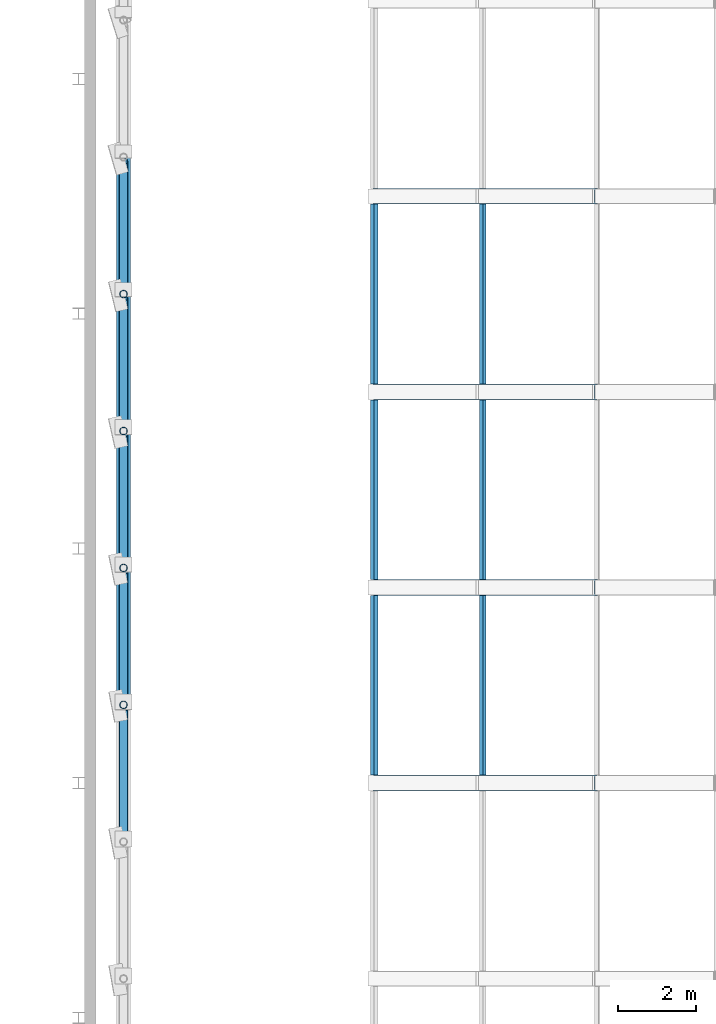
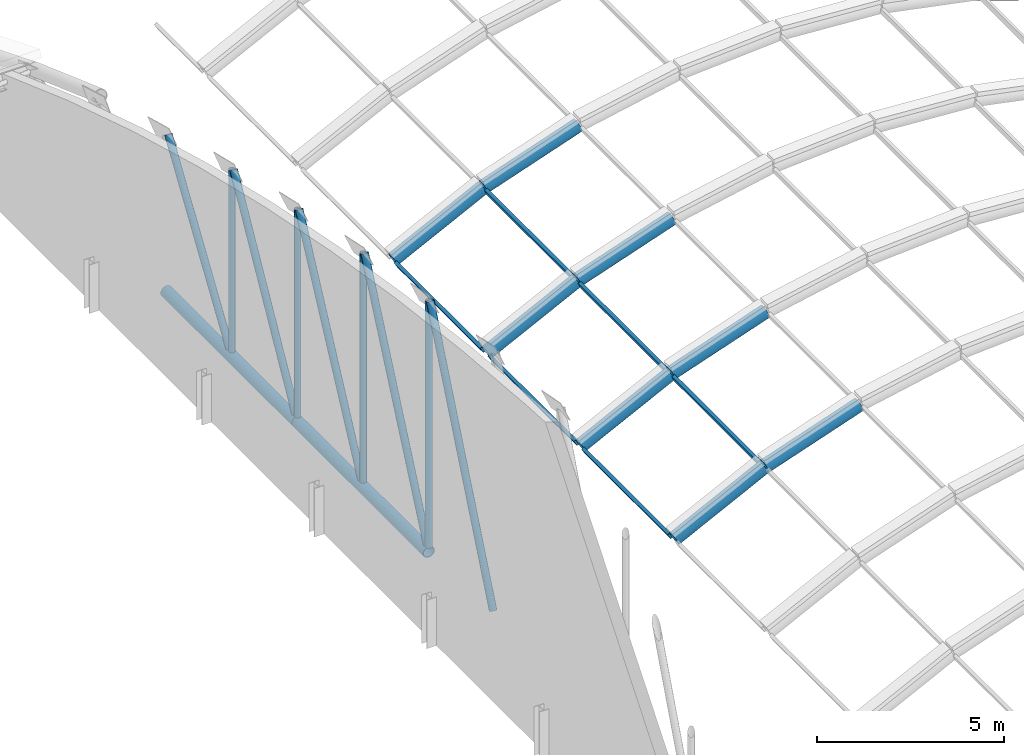
# One storey, part 88 of 196: 25 members.
"""IFC4 building model written with IfcOpenShell, lengths in metres."""

from ifc_helpers import new_model, si_unit, direction, frame, origin, origin_2d, place, context, subcontext, project, spatial, hollow_rectangle, hollow_circle, extrude, material, material_profile, profile_set, type_object, element, save


model = new_model("IFC4")

# Units and contexts
model_context = context("Model", 3, precision=1e-05, world=origin(), true_north=direction((0.0, 1.0)))
body_context = subcontext(model_context, "Body", "Model", "MODEL_VIEW")
ifc_project = project(units=[si_unit("LENGTHUNIT", "METRE"), si_unit("AREAUNIT", "SQUARE_METRE"), si_unit("VOLUMEUNIT", "CUBIC_METRE"), si_unit("PLANEANGLEUNIT", "RADIAN"), si_unit("MASSUNIT", "GRAM", prefix="KILO")], contexts=[model_context])

# Site, building, storey
site_placement = place(None, origin())
site = spatial("IfcSite", under=ifc_project, at=site_placement, CompositionType="ELEMENT")
building_placement = place(site_placement, origin())
building = spatial("IfcBuilding", under=site, at=building_placement, Name="Okhra Congress Centre", CompositionType="ELEMENT")
storey_placement = place(building_placement, frame((0.0, 0.0, 12.0)))
storey = spatial("IfcBuildingStorey", under=building, at=storey_placement, Name="L02", CompositionType="ELEMENT", Elevation=12.0)

# Members
ifc_material_1 = material(Name="Steel S355J2H", Category="steel")
ifc_material_profile_1 = material_profile(ifc_material_1, hollow_circle(Radius=0.096923828125, WallThickness=0.008056640625, at=origin_2d()), Name="CHS 193.7x8.0")
ifc_profile_set_1 = profile_set([ifc_material_profile_1], Name="Steel S355J2H")
member_type_1 = type_object("IfcMemberType", Name="CHS 193.7x8.0", PredefinedType="POST", material=ifc_profile_set_1)
member_1_placement = place(storey_placement, frame((154.0, 188.0, 1.577880859375), z_axis=(0.0, 0.0, 1.0), x_axis=(1.0, 0.0, 0.0)))
element("IfcMember", 1, at=member_1_placement, inside=storey, type_object=member_type_1, Name="EH.MEM.L02.T8-VER-16", PredefinedType="POST", context=body_context, shape_type="SweptSolid", body=[
    extrude(hollow_circle(Radius=0.096923828125, WallThickness=0.008056640625, at=origin_2d()), origin(), (0.0, 0.0, 1.0), 8.01708984375),
])
member_2_placement = place(storey_placement, frame((154.0, 191.5, 1.577880859375), z_axis=(0.0, 0.0, 1.0), x_axis=(1.0, 0.0, 0.0)))
element("IfcMember", 2, at=member_2_placement, inside=storey, type_object=member_type_1, Name="EH.MEM.L02.T8-VER-17", PredefinedType="POST", context=body_context, shape_type="SweptSolid", body=[
    extrude(hollow_circle(Radius=0.096923828125, WallThickness=0.008056640625, at=origin_2d()), origin(), (0.0, 0.0, 1.0), 7.448974609375),
])
member_3_placement = place(storey_placement, frame((154.0, 195.0, 1.577880859375), z_axis=(0.0, 0.0, 1.0), x_axis=(1.0, 0.0, 0.0)))
element("IfcMember", 3, at=member_3_placement, inside=storey, type_object=member_type_1, Name="EH.MEM.L02.T8-VER-18", PredefinedType="POST", context=body_context, shape_type="SweptSolid", body=[
    extrude(hollow_circle(Radius=0.096923828125, WallThickness=0.008056640625, at=origin_2d()), origin(), (0.0, 0.0, 1.0), 6.750244140625),
])
member_4_placement = place(storey_placement, frame((154.0, 198.5, 1.577880859375), z_axis=(0.0, 0.0, 1.0), x_axis=(1.0, 0.0, 0.0)))
element("IfcMember", 4, at=member_4_placement, inside=storey, type_object=member_type_1, Name="EH.MEM.L02.T8-VER-19", PredefinedType="POST", context=body_context, shape_type="SweptSolid", body=[
    extrude(hollow_circle(Radius=0.096923828125, WallThickness=0.008056640625, at=origin_2d()), origin(), (0.0, 0.0, 1.0), 5.917724609375),
])
ifc_material_profile_2 = material_profile(ifc_material_1, hollow_circle(Radius=0.109619140625, WallThickness=0.010009765625, at=origin_2d()), Name="CHS 219.1x10.0")
ifc_profile_set_2 = profile_set([ifc_material_profile_2], Name="Steel S355J2H")
member_type_2 = type_object("IfcMemberType", Name="CHS 219.1x10.0", PredefinedType="BRACE", material=ifc_profile_set_2)
member_5_placement = place(storey_placement, frame((154.0, 187.926513671875, 9.6240234375), z_axis=(0.0, -0.384613395842, -0.92307775173), x_axis=(1.0, 0.0, 0.0)))
element("IfcMember", 5, at=member_5_placement, inside=storey, type_object=member_type_2, Name="EH.MEM.L02.T8-DIA-15", PredefinedType="BRACE", context=body_context, shape_type="SweptSolid", body=[
    extrude(hollow_circle(Radius=0.109619140625, WallThickness=0.010009765625, at=origin_2d()), origin(), (0.0, 0.0, 1.0), 8.716552734375),
])
member_6_placement = place(storey_placement, frame((154.0, 191.42236328125, 9.0595703125), z_axis=(0.0, -0.407953800593, -0.913002572057), x_axis=(1.0, 0.0, 0.0)))
element("IfcMember", 6, at=member_6_placement, inside=storey, type_object=member_type_2, Name="EH.MEM.L02.T8-DIA-16", PredefinedType="BRACE", context=body_context, shape_type="SweptSolid", body=[
    extrude(hollow_circle(Radius=0.109619140625, WallThickness=0.010009765625, at=origin_2d()), origin(), (0.0, 0.0, 1.0), 8.194580078125),
])
member_7_placement = place(storey_placement, frame((154.0, 194.916259765625, 8.365234375), z_axis=(0.0, -0.440367038805, -0.897817838503), x_axis=(1.0, 0.0, 0.0)))
element("IfcMember", 7, at=member_7_placement, inside=storey, type_object=member_type_2, Name="EH.MEM.L02.T8-DIA-17", PredefinedType="BRACE", context=body_context, shape_type="SweptSolid", body=[
    extrude(hollow_circle(Radius=0.109619140625, WallThickness=0.010009765625, at=origin_2d()), origin(), (0.0, 0.0, 1.0), 7.559814453125),
])
member_8_placement = place(storey_placement, frame((154.0, 198.4072265625, 7.538330078125), z_axis=(0.0, -0.485332749729, -0.874329527147), x_axis=(1.0, 0.0, 0.0)))
element("IfcMember", 8, at=member_8_placement, inside=storey, type_object=member_type_2, Name="EH.MEM.L02.T8-DIA-18", PredefinedType="BRACE", context=body_context, shape_type="SweptSolid", body=[
    extrude(hollow_circle(Radius=0.109619140625, WallThickness=0.010009765625, at=origin_2d()), origin(), (0.0, 0.0, 1.0), 6.817138671875),
])
ifc_material_profile_3 = material_profile(ifc_material_1, hollow_circle(Radius=0.109619140625, WallThickness=0.012451171875, at=origin_2d()), Name="CHS 219.1x12.5")
ifc_profile_set_3 = profile_set([ifc_material_profile_3], Name="Steel S355J2H")
member_type_3 = type_object("IfcMemberType", Name="CHS 219.1x12.5", PredefinedType="BRACE", material=ifc_profile_set_3)
member_9_placement = place(storey_placement, frame((154.0, 201.89404296875, 6.576416015625), z_axis=(0.0, -0.548312008951, -0.836273843211), x_axis=(1.0, 0.0, 0.0)))
element("IfcMember", 9, at=member_9_placement, inside=storey, type_object=member_type_3, Name="EH.MEM.L02.T8-DIA-19", PredefinedType="BRACE", context=body_context, shape_type="SweptSolid", body=[
    extrude(hollow_circle(Radius=0.109619140625, WallThickness=0.012451171875, at=origin_2d()), origin(), (0.0, 0.0, 1.0), 5.97705078125),
])
ifc_material_profile_4 = material_profile(ifc_material_1, hollow_circle(Radius=0.177734375, WallThickness=0.01611328125, at=origin_2d()), Name="CHS 355.6x16.0")
ifc_profile_set_4 = profile_set([ifc_material_profile_4], Name="Steel S355J2H")
member_type_4 = type_object("IfcMemberType", Name="CHS 355.6x16.0", PredefinedType="CHORD", material=ifc_profile_set_4)
for number, where, z_axis, x_axis, name in (
    (10, (154.0, 188.0, 1.39990234375), (0.0, 1.0, 0.0), (-1.0, 0.0, 0.0), "EH.MEM.L02.T8-BOT-09"),
    (11, (154.0, 195.0, 1.39990234375), (0.0, 1.0, 0.0), (-1.0, 0.0, 0.0), "EH.MEM.L02.T8-BOT-10"),
):
    element("IfcMember", number, at=place(storey_placement, frame(where, z_axis=z_axis, x_axis=x_axis)), inside=storey, type_object=member_type_4, Name=name, PredefinedType="CHORD", context=body_context, shape_type="SweptSolid", body=[
        extrude(hollow_circle(Radius=0.177734375, WallThickness=0.01611328125, at=origin_2d()), origin(), (0.0, 0.0, 1.0), 7.0),
    ])
ifc_material_2 = material(Name="Steel S355J2", Category="steel")
ifc_material_profile_5 = material_profile(ifc_material_2, hollow_rectangle(XDim=0.10009765625, YDim=0.199951171875, WallThickness=0.008056640625, at=origin_2d()), Name="RHS 200x100x8")
ifc_profile_set_5 = profile_set([ifc_material_profile_5], Name="Steel S355J2")
member_type_5 = type_object("IfcMemberType", Name="Steel purlin RHS 200x100x8", PredefinedType="PURLIN", material=ifc_profile_set_5)
for number, where, z_axis, x_axis, name in (
    (12, (160.406982421875, 186.203125, 0.77490234375), (0.0, 1.0, 0.0), (-0.86391685861, 0.0, -0.503634452167), "Vault purlin 23.2"),
    (13, (163.1826171875, 186.203125, 2.156494140625), (0.0, 1.0, 0.0), (-0.922668973833, 0.0, -0.38559300399), "Vault purlin 23.3"),
    (14, (160.406982421875, 191.203125, 0.77490234375), (0.0, 1.0, 0.0), (-0.86391685861, 0.0, -0.503634452167), "Vault purlin 24.2"),
    (15, (163.1826171875, 191.203125, 2.156494140625), (0.0, 1.0, 0.0), (-0.922668973833, 0.0, -0.38559300399), "Vault purlin 24.3"),
    (16, (160.406982421875, 196.203125, 0.77490234375), (0.0, 1.0, 0.0), (-0.86391685861, 0.0, -0.503634452167), "Vault purlin 25.2"),
    (17, (163.1826171875, 196.203125, 2.156494140625), (0.0, 1.0, 0.0), (-0.922668973833, 0.0, -0.38559300399), "Vault purlin 25.3"),
):
    element("IfcMember", number, at=place(storey_placement, frame(where, z_axis=z_axis, x_axis=x_axis)), inside=storey, type_object=member_type_5, Name=name, PredefinedType="PURLIN", context=body_context, shape_type="SweptSolid", body=[
        extrude(hollow_rectangle(XDim=0.10009765625, YDim=0.199951171875, WallThickness=0.008056640625, at=origin_2d()), origin(), (0.0, 0.0, 1.0), 4.59375),
    ])
ifc_material_profile_6 = material_profile(ifc_material_2, hollow_circle(Radius=0.203125, WallThickness=0.01611328125, at=origin_2d()), Name="CHS 406.4x16")
ifc_profile_set_6 = profile_set([ifc_material_profile_6], Name="Steel S355J2")
member_type_6 = type_object("IfcMemberType", Name="Tubular steel arch rib CHS 406x16", PredefinedType="USERDEFINED", material=ifc_profile_set_6)
for number, where, z_axis, x_axis, name in (
    (18, (160.406494140625, 186.0, 0.802490234375), (0.895219276519, 0.0, 0.44562590471), (0.0, 1.0, 0.0), "Arch rib 23.3"),
    (19, (163.185791015625, 186.0, 2.18408203125), (0.946089135599, 0.0, 0.323906386942), (0.0, 1.0, 0.0), "Arch rib 23.4"),
    (20, (160.406494140625, 191.0, 0.802490234375), (0.895219276519, 0.0, 0.44562590471), (0.0, 1.0, 0.0), "Arch rib 24.3"),
    (21, (163.185791015625, 191.0, 2.18408203125), (0.946089135599, 0.0, 0.323906386942), (0.0, 1.0, 0.0), "Arch rib 24.4"),
    (22, (160.406494140625, 196.0, 0.802490234375), (0.895219276519, 0.0, 0.44562590471), (0.0, 1.0, 0.0), "Arch rib 25.3"),
    (23, (163.185791015625, 196.0, 2.18408203125), (0.946089135599, 0.0, 0.323906386942), (0.0, 1.0, 0.0), "Arch rib 25.4"),
    (24, (160.406494140625, 201.0, 0.802490234375), (0.895219276519, 0.0, 0.44562590471), (0.0, 1.0, 0.0), "Arch rib 26.3"),
    (25, (163.185791015625, 201.0, 2.18408203125), (0.946089135599, 0.0, 0.323906386942), (0.0, 1.0, 0.0), "Arch rib 26.4"),
):
    element("IfcMember", number, at=place(storey_placement, frame(where, z_axis=z_axis, x_axis=x_axis)), inside=storey, type_object=member_type_6, Name=name, ObjectType="Arch rib", PredefinedType="USERDEFINED", context=body_context, shape_type="SweptSolid", body=[
        extrude(hollow_circle(Radius=0.203125, WallThickness=0.01611328125, at=origin_2d()), origin(), (0.0, 0.0, 1.0), 3.07666015625),
    ])

save(model, "model.ifc")
